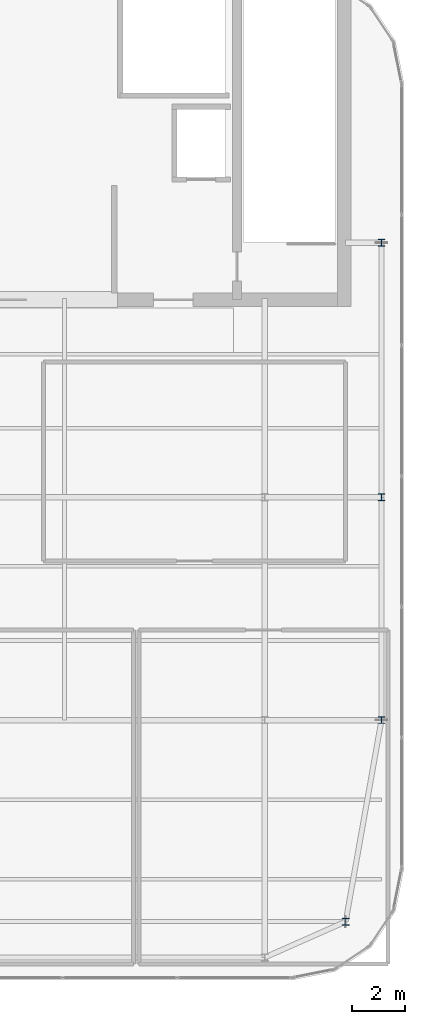
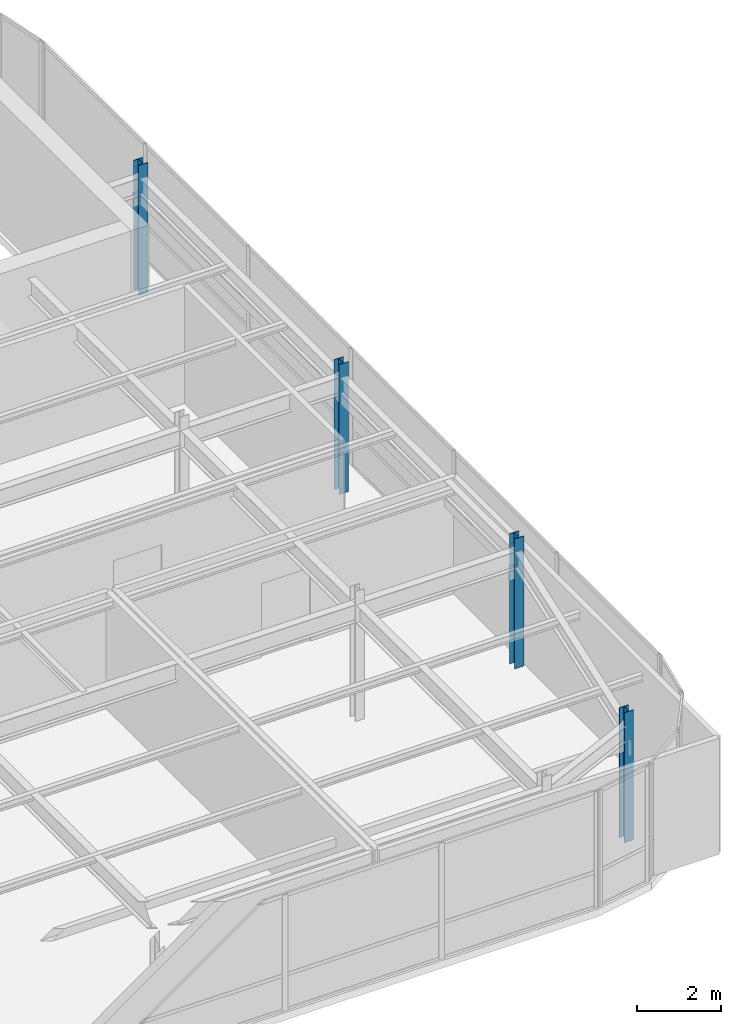
# One storey, part 3 of 35: 4 columns.
"""IFC4 building model written with IfcOpenShell, lengths in metres."""

from ifc_helpers import new_model, si_unit, direction, frame, origin, origin_2d, place, context, subcontext, project, spatial, i_section, extrude, source, transform, mapped, material, material_profile, profile_set, type_object, type_shapes, element, save


model = new_model("IFC4")

# Units and contexts
model_context = context("Model", 3, precision=1e-05, world=origin(), true_north=direction((0.0, 1.0)))
body_context = subcontext(model_context, "Body", "Model", "MODEL_VIEW")
ifc_project = project(units=[si_unit("LENGTHUNIT", "METRE"), si_unit("AREAUNIT", "SQUARE_METRE"), si_unit("VOLUMEUNIT", "CUBIC_METRE"), si_unit("PLANEANGLEUNIT", "RADIAN"), si_unit("MASSUNIT", "GRAM", prefix="KILO")], contexts=[model_context])

# Site, building, storey
site_placement = place(None, origin())
site = spatial("IfcSite", under=ifc_project, at=site_placement, CompositionType="ELEMENT")
building_placement = place(site_placement, origin())
building = spatial("IfcBuilding", under=site, at=building_placement, Name="Tolvann Quenvar Hotel", CompositionType="ELEMENT")
storey_placement = place(building_placement, frame((0.0, 0.0, 309.949951171875)))
storey = spatial("IfcBuildingStorey", under=building, at=storey_placement, Name="L82", CompositionType="ELEMENT", Elevation=309.949951171875)

# Columns
ifc_material = material(Name="Steel Grade 350", Category="steel")
ifc_material_profile = material_profile(ifc_material, i_section(OverallWidth=0.25390625, OverallDepth=0.25390625, WebThickness=0.008544921875, FlangeThickness=0.01416015625, FilletRadius=0.013916015625, at=origin_2d()), Name="250UC73")
ifc_profile_set = profile_set([ifc_material_profile], Name="Steel Grade 350")
column_type = type_object("IfcColumnType", Name="COL_250UC73", PredefinedType="COLUMN", material=ifc_profile_set)
shared_shape = source(origin(), body_context, "Body", "SweptSolid", [
    extrude(i_section(OverallWidth=0.25390625, OverallDepth=0.25390625, WebThickness=0.008544921875, FlangeThickness=0.01416015625, FilletRadius=0.013916015625, at=origin_2d()), origin(), (0.0, 0.0, 1.0), 3.800048828125),
])
type_shapes(column_type, [shared_shape])
for number, where, z_axis, x_axis, name in (
    (1, (35.800048828125, 8.39990234375, 0.0), (0.0, 0.0, 1.0), (1.0, 0.0, 0.0), "Column G2 (L82)"),
    (2, (37.14990234375, 16.0, 0.0), (0.0, 0.0, 1.0), (1.0, 0.0, 0.0), "Column G4 (L82)"),
    (3, (37.14990234375, 24.39990234375, 0.0), (0.0, 0.0, 1.0), (1.0, 0.0, 0.0), "Column G5 (L82)"),
    (4, (37.14990234375, 34.0, 0.0), (0.0, 0.0, 1.0), (1.0, 0.0, 0.0), "Column GD6 (L82)"),
):
    element("IfcColumn", number, at=place(storey_placement, frame(where, z_axis=z_axis, x_axis=x_axis)), inside=storey, type_object=column_type, Name=name, PredefinedType="COLUMN", context=body_context, shape_type="MappedRepresentation", body=[
        mapped(shared_shape, transform((0.0, 0.0, 0.0), x_axis=(1.0, 0.0, 0.0), y_axis=(0.0, 1.0, 0.0), z_axis=(0.0, 0.0, 1.0), scale=1.0)),
    ])

save(model, "model.ifc")
